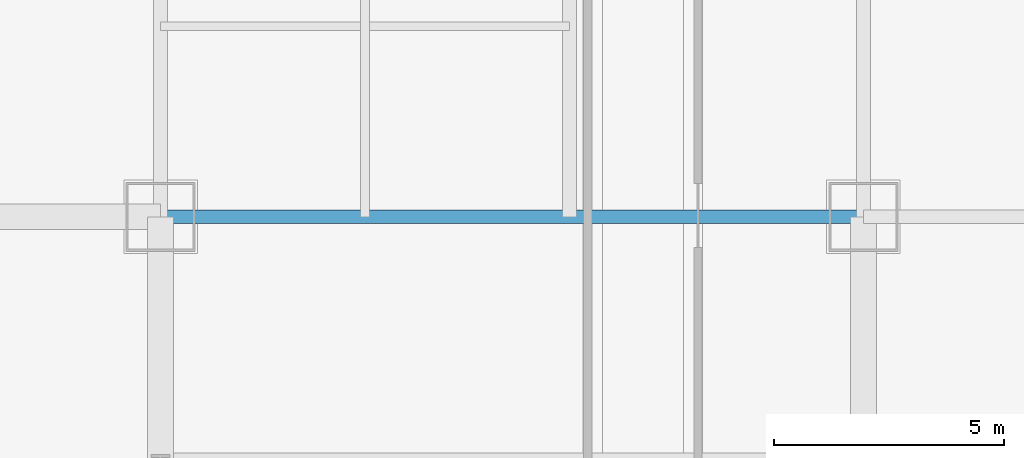
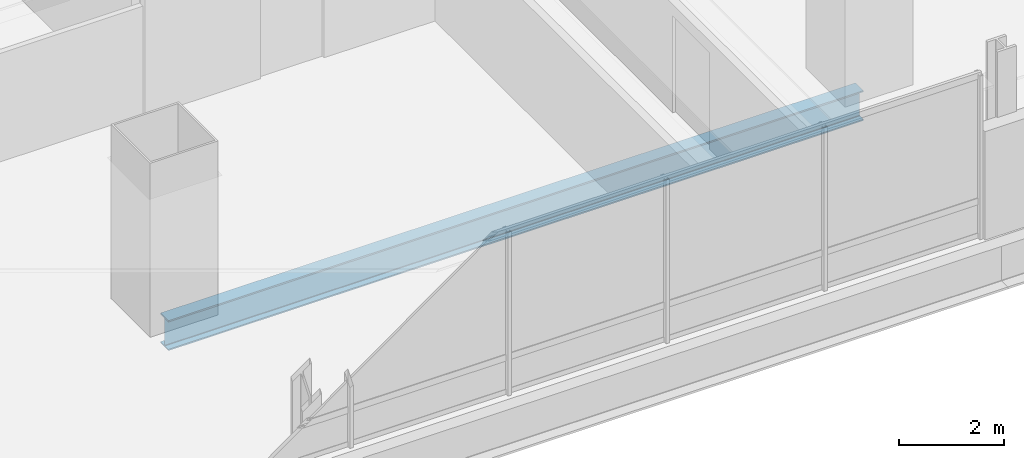
# One storey, part 4 of 37: 1 beam.
"""IFC4 building model written with IfcOpenShell, lengths in metres."""

from ifc_helpers import new_model, si_unit, direction, frame, origin, origin_2d, place, context, subcontext, project, spatial, i_section, extrude, material, material_profile, profile_set, type_object, element, save


model = new_model("IFC4")

# Units and contexts
model_context = context("Model", 3, precision=1e-05, world=origin(), true_north=direction((0.0, 1.0)))
body_context = subcontext(model_context, "Body", "Model", "MODEL_VIEW")
ifc_project = project(units=[si_unit("LENGTHUNIT", "METRE"), si_unit("AREAUNIT", "SQUARE_METRE"), si_unit("VOLUMEUNIT", "CUBIC_METRE"), si_unit("PLANEANGLEUNIT", "RADIAN"), si_unit("MASSUNIT", "GRAM", prefix="KILO")], contexts=[model_context])

# Site, building, storey
site_placement = place(None, origin())
site = spatial("IfcSite", under=ifc_project, at=site_placement, CompositionType="ELEMENT")
building_placement = place(site_placement, origin())
building = spatial("IfcBuilding", under=site, at=building_placement, Name="Punatoya Terracotta Tower", CompositionType="ELEMENT")
storey_placement = place(building_placement, frame((0.0, 0.0, 44.39990234375)))
storey = spatial("IfcBuildingStorey", under=building, at=storey_placement, Name="L09", CompositionType="ELEMENT", Elevation=44.39990234375)

# Beam
ifc_material = material(Name="Steel S355", Category="steel")
ifc_material_profile = material_profile(ifc_material, i_section(OverallWidth=0.300048828125, OverallDepth=0.699951171875, WebThickness=0.01708984375, FlangeThickness=0.031982421875, FilletRadius=0.01806640625, at=origin_2d()))
ifc_profile_set = profile_set([ifc_material_profile], Name="Steel S355")
beam_type = type_object("IfcBeamType", Name="BM-PRI-700", PredefinedType="BEAM", material=ifc_profile_set)
beam_placement = place(storey_placement, frame((-19.10009765625, -17.5, -0.58984375), z_axis=(1.0, 0.0, 0.0), x_axis=(0.0, 1.0, 0.0)))
element("IfcBeam", 1, at=beam_placement, inside=storey, type_object=beam_type, Name="BM-L09-RG-S1", PredefinedType="BEAM", context=body_context, shape_type="SweptSolid", body=[
    extrude(i_section(OverallWidth=0.300048828125, OverallDepth=0.699951171875, WebThickness=0.01708984375, FlangeThickness=0.031982421875, FilletRadius=0.01806640625, at=origin_2d()), origin(), (0.0, 0.0, 1.0), 15.300048828125),
])

save(model, "model.ifc")
